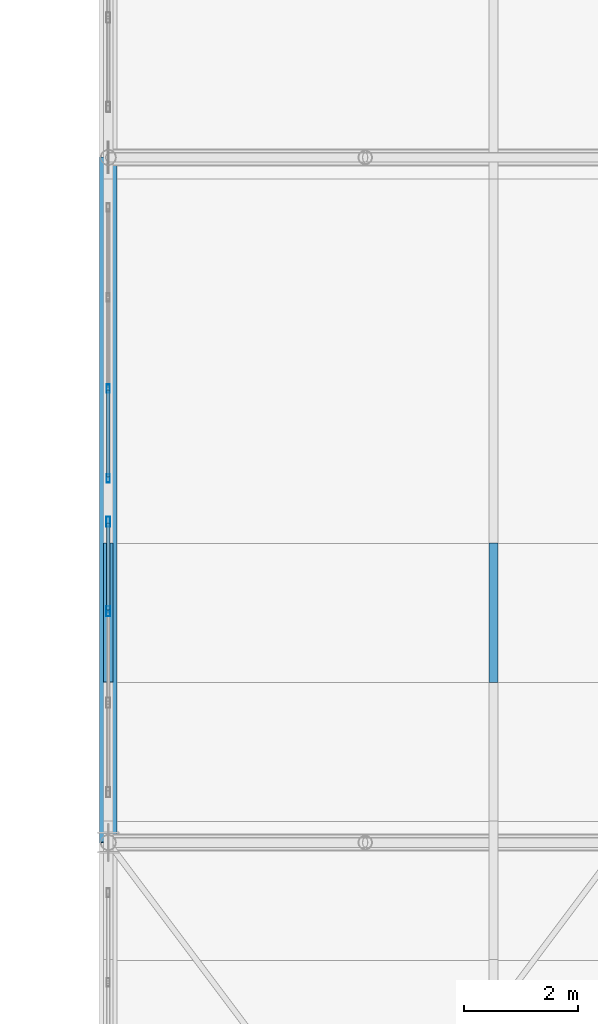
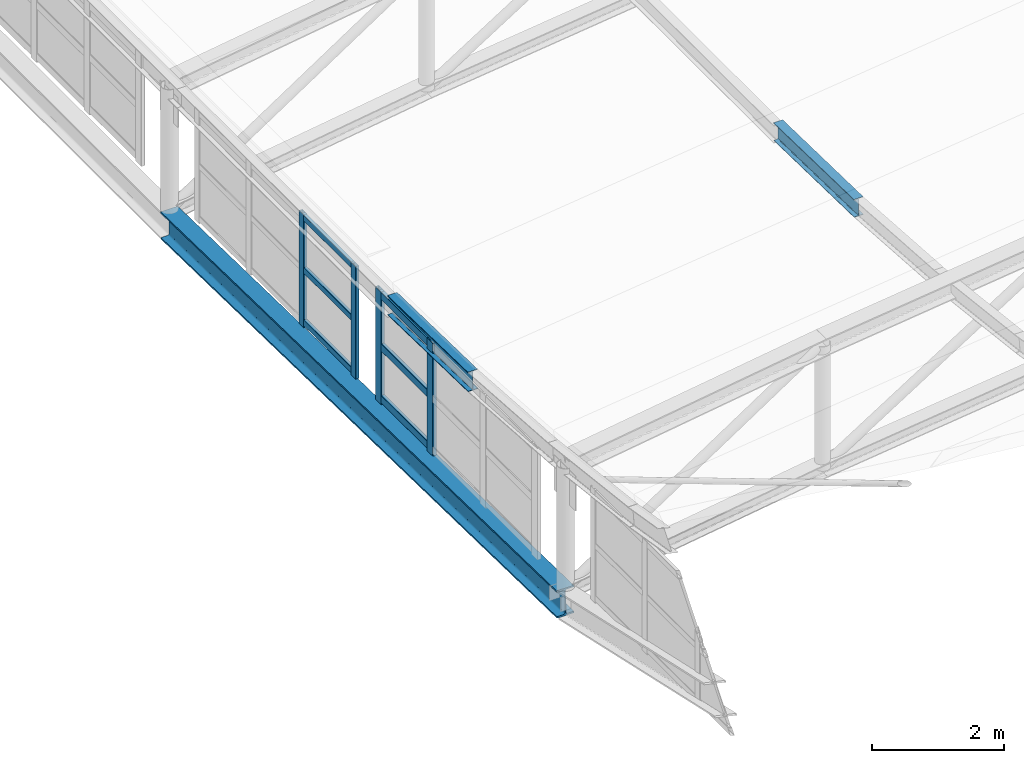
# One storey, part 82 of 262: 12 members, 1 beam, 2 elements without a shape of their own.
"""IFC4 building model written with IfcOpenShell, lengths in metres."""

import ifcopenshell
import ifcopenshell.guid

model = None  # the IFC model being written
_history = None  # IfcOwnerHistory: only IFC2X3 demands one
_inside = {}  # id of a spatial element -> (the spatial element, [elements in it])
_under = {}  # id of a project, library or spatial element -> (it, [spatial elements below it])
_declared = {}  # id of a project -> (the project, [libraries it declares])
_typed = {}  # id of a type object -> (the type object, [elements of that type])
_made_of = {}  # id of a material, layer set ... -> (it, [elements and type objects made of it])


def new_model(schema):
    """Start an empty IFC model of exactly this schema.

    Asked for "IFC4X3", IfcOpenShell would pick the latest addendum, in which some entities
    have other attributes; the version numbers below select the first issue.
    IFC2X3 requires an IfcOwnerHistory on every rooted entity: one is made here for all.
    """
    global model, _history
    if schema == "IFC4X3":
        model = ifcopenshell.file(schema_version=(4, 3, 0, 0))
    else:
        model = ifcopenshell.file(schema=schema)
    _inside.clear()
    _under.clear()
    _declared.clear()
    _typed.clear()
    _made_of.clear()
    _history = None
    if model.schema == "IFC2X3":
        org = make("IfcOrganization", Name="unknown")
        user = make(
            "IfcPersonAndOrganization",
            ThePerson=make("IfcPerson", FamilyName="unknown"),
            TheOrganization=org,
        )
        app = make(
            "IfcApplication",
            ApplicationDeveloper=org,
            Version="unknown",
            ApplicationFullName="unknown",
            ApplicationIdentifier="unknown",
        )
        _history = make(
            "IfcOwnerHistory",
            OwningUser=user,
            OwningApplication=app,
            ChangeAction="ADDED",
            CreationDate=0,
        )
    return model


def make(cls, **values):
    """One entity of the class cls with the attributes given. An attribute that is None is left unset."""
    return model.create_entity(
        cls, **{name: value for name, value in values.items() if value is not None}
    )


def rooted(cls, **values):
    """An entity with a GlobalId (a new one), such as an element, a storey or a relation."""
    return make(cls, GlobalId=ifcopenshell.guid.new(), OwnerHistory=_history, **values)


def si_unit(unit_type, name, prefix=None):
    """IfcSIUnit, for example si_unit("LENGTHUNIT", "METRE", prefix="MILLI")."""
    return make("IfcSIUnit", UnitType=unit_type, Prefix=prefix, Name=name)


def derived_unit(unit_type, elements):
    """IfcDerivedUnit: a product of units, each with its exponent."""
    return make(
        "IfcDerivedUnit",
        Elements=[
            make("IfcDerivedUnitElement", Unit=unit, Exponent=power)
            for unit, power in elements
        ],
        UnitType=unit_type,
    )


def assignment(units):
    """IfcUnitAssignment: the units of a project."""
    return None if units is None else make("IfcUnitAssignment", Units=units)


def point(xyz):
    """IfcCartesianPoint."""
    return None if xyz is None else make("IfcCartesianPoint", Coordinates=xyz)


def direction(xyz):
    """IfcDirection."""
    return None if xyz is None else make("IfcDirection", DirectionRatios=xyz)


def frame(location, z_axis=None, x_axis=None):
    """IfcAxis2Placement3D, a coordinate frame: its origin and axes. An axis left out is left unset."""
    return make(
        "IfcAxis2Placement3D",
        Location=point(location),
        Axis=direction(z_axis),
        RefDirection=direction(x_axis),
    )


def frame_2d(location, x_axis=None):
    """IfcAxis2Placement2D, a coordinate frame in the plane: its origin and x axis."""
    return make(
        "IfcAxis2Placement2D", Location=point(location), RefDirection=direction(x_axis)
    )


def origin():
    """The frame at (0, 0, 0) with its axes left unset."""
    return frame((0.0, 0.0, 0.0))


def origin_2d():
    """The frame at (0, 0) in the plane with its x axis left unset."""
    return frame_2d((0.0, 0.0))


def place(relative_to, where):
    """IfcLocalPlacement: puts the frame where relative to a parent placement (None: the world)."""
    return make(
        "IfcLocalPlacement", PlacementRelTo=relative_to, RelativePlacement=where
    )


def context(
    kind, dimensions, precision=None, world=None, true_north=None, identifier=None
):
    """IfcGeometricRepresentationContext, for example the 3D "Model" context."""
    return make(
        "IfcGeometricRepresentationContext",
        ContextIdentifier=identifier,
        ContextType=kind,
        CoordinateSpaceDimension=dimensions,
        Precision=precision,
        WorldCoordinateSystem=world,
        TrueNorth=true_north,
    )


def subcontext(parent, identifier, kind, view, scale=None):
    """IfcGeometricRepresentationSubContext, for example "Body" below "Model"."""
    return make(
        "IfcGeometricRepresentationSubContext",
        ContextIdentifier=identifier,
        ContextType=kind,
        ParentContext=parent,
        TargetScale=scale,
        TargetView=view,
    )


def project(units=None, contexts=None):
    """IfcProject with its units and contexts."""
    return rooted(
        "IfcProject",
        Name="project",
        RepresentationContexts=contexts,
        UnitsInContext=assignment(units),
    )


def spatial(cls, under=None, at=None, **own):
    """A site, building, storey or space (cls), placed at a placement, below another one or the project."""
    s = rooted(cls, ObjectPlacement=at, **own)
    if under is not None:
        _under.setdefault(under.id(), (under, []))[1].append(s)
    return s


def profile(cls, at=None, kind="AREA", **sizes):
    """A parametric profile (cls). Its sizes go by their IFC names, for example OverallWidth=200.0."""
    return make(cls, ProfileType=kind, Position=at, **sizes)


def hollow_rectangle(**sizes):
    """IfcRectangleHollowProfileDef."""
    return profile("IfcRectangleHollowProfileDef", **sizes)


def i_section(**sizes):
    """IfcIShapeProfileDef."""
    return profile("IfcIShapeProfileDef", **sizes)


def extrude(swept, where, along, depth):
    """IfcExtrudedAreaSolid: the profile swept, set in the frame where, extruded along a direction by depth."""
    return make(
        "IfcExtrudedAreaSolid",
        SweptArea=swept,
        Position=where,
        ExtrudedDirection=direction(along),
        Depth=depth,
    )


def shape(context_of_items, identifier, shape_type, items):
    """IfcShapeRepresentation: the items that make up one representation, for example the "Body"."""
    return make(
        "IfcShapeRepresentation",
        ContextOfItems=context_of_items,
        RepresentationIdentifier=identifier,
        RepresentationType=shape_type,
        Items=items,
    )


def material(Name=None, Category=None):
    """IfcMaterial."""
    return make("IfcMaterial", Name=Name, Category=Category)


def layer(
    of_material, thickness, ventilated=None, Name=None, Category=None, Priority=None
):
    """IfcMaterialLayer: one layer of a wall or slab, of a material (None: an air gap)."""
    return make(
        "IfcMaterialLayer",
        Material=of_material,
        LayerThickness=thickness,
        IsVentilated=ventilated,
        Name=Name,
        Category=Category,
        Priority=Priority,
    )


def layer_set(layers, Name=None):
    """IfcMaterialLayerSet."""
    return make("IfcMaterialLayerSet", MaterialLayers=layers, LayerSetName=Name)


def material_profile(
    of_material, cross_section, Name=None, Category=None, Priority=None
):
    """IfcMaterialProfile: a cross section and its material."""
    return make(
        "IfcMaterialProfile",
        Name=Name,
        Material=of_material,
        Profile=cross_section,
        Priority=Priority,
        Category=Category,
    )


def profile_set(profiles, Name=None, composite=None):
    """IfcMaterialProfileSet."""
    return make(
        "IfcMaterialProfileSet",
        Name=Name,
        MaterialProfiles=profiles,
        CompositeProfile=composite,
    )


def made_of(thing, what):
    """Note that an element or type object is made of a material, layer set ...; save() writes the relation."""
    if what is not None:
        _made_of.setdefault(what.id(), (what, []))[1].append(thing)
    return thing


def type_object(cls, material=None, **own):
    """A type object (cls), such as IfcWallType, which elements share."""
    return made_of(rooted(cls, **own), material)


def element(
    cls,
    number,
    at=None,
    inside=None,
    cuts=None,
    type_object=None,
    material=None,
    context=None,
    identifier="Body",
    shape_type=None,
    held_by="IfcProductDefinitionShape",
    body=None,
    shapes=None,
    **own,
):
    """One element of the class cls, such as IfcWall. Its Tag is "e" and its number.

    at: its placement. inside: the storey or other place that contains it. cuts: it is an
    opening in that element (IfcRelVoidsElement). A single representation is given by context,
    identifier, shape_type and body (its items); several are given by shapes. held_by: the class
    of the entity that holds the representations. save() writes the other relations.
    """
    e = rooted(cls, Tag="e%d" % number, ObjectPlacement=at, **own)
    if body is not None:
        shapes = [shape(context, identifier, shape_type, body)]
    if shapes is not None:
        e.Representation = make(held_by, Representations=shapes)
    if inside is not None:
        _inside.setdefault(inside.id(), (inside, []))[1].append(e)
    if cuts is not None:
        rooted(
            "IfcRelVoidsElement", RelatingBuildingElement=cuts, RelatedOpeningElement=e
        )
    if type_object is not None:
        _typed.setdefault(type_object.id(), (type_object, []))[1].append(e)
    return made_of(e, material)


def aggregate(whole, parts):
    """IfcRelAggregates: a whole, such as a stair, and the parts it consists of."""
    return rooted("IfcRelAggregates", RelatingObject=whole, RelatedObjects=parts)


def save(model, path):
    """Write the relations noted so far, then the file.

    IfcRelAggregates (storeys below a building ...), IfcRelContainedInSpatialStructure (elements
    in a storey), IfcRelDefinesByType, IfcRelAssociatesMaterial and IfcRelDeclares: one each for
    every whole, place, type object, material and project.
    """
    for whole, parts in _under.values():
        aggregate(whole, parts)
    for where, things in _inside.values():
        rooted(
            "IfcRelContainedInSpatialStructure",
            RelatedElements=things,
            RelatingStructure=where,
        )
    for kind, things in _typed.values():
        rooted("IfcRelDefinesByType", RelatedObjects=things, RelatingType=kind)
    for what, things in _made_of.values():
        rooted("IfcRelAssociatesMaterial", RelatedObjects=things, RelatingMaterial=what)
    for by, libraries in _declared.values():
        rooted("IfcRelDeclares", RelatingContext=by, RelatedDefinitions=libraries)
    model.write(path)


model = new_model("IFC4")

# Units and contexts
model_context = context("Model", 3, precision=1e-05, world=origin(), true_north=direction((0.0, 1.0)))
body_context = subcontext(model_context, "Body", "Model", "MODEL_VIEW")
ifc_project = project(units=[si_unit("LENGTHUNIT", "METRE"), si_unit("AREAUNIT", "SQUARE_METRE"), si_unit("VOLUMEUNIT", "CUBIC_METRE"), si_unit("PLANEANGLEUNIT", "RADIAN"), si_unit("MASSUNIT", "GRAM", prefix="KILO"), derived_unit("THERMALTRANSMITTANCEUNIT", [(si_unit("POWERUNIT", "WATT"), 1), (si_unit("LENGTHUNIT", "METRE"), -2), (si_unit("THERMODYNAMICTEMPERATUREUNIT", "KELVIN"), -1)])], contexts=[model_context])

# Site, building, storey
site_placement = place(None, origin())
site = spatial("IfcSite", under=ifc_project, at=site_placement, CompositionType="ELEMENT")
building_placement = place(site_placement, origin())
building = spatial("IfcBuilding", under=site, at=building_placement, Name="Almenara Railside Exhibition Hall", CompositionType="ELEMENT")
storey_placement = place(building_placement, frame((0.0, 0.0, 21.699951171875)))
storey = spatial("IfcBuildingStorey", under=building, at=storey_placement, Name="RF", CompositionType="ELEMENT", Elevation=21.699951171875)

# Curtain wall, members
ifc_material_1 = material(Name="Bronze-anodised aluminium and low-E double glazing", Category="aluminium")
ifc_layer = layer(ifc_material_1, 0.179931640625, Name="Bronze-anodised aluminium and low-E double glazing")
ifc_layer_set = layer_set([ifc_layer], Name="Bronze-anodised aluminium and low-E double glazing")
curtain_wall_type = type_object("IfcCurtainWallType", Name="West Hall Clerestory Curtain Wall 4200x2400", PredefinedType="NOTDEFINED", material=ifc_layer_set)
curtain_wall_1_placement = place(storey_placement, origin())
curtain_wall_1 = element("IfcCurtainWall", 1, at=curtain_wall_1_placement, inside=storey, type_object=curtain_wall_type, Name="Curtain wall CW-CL1-177", PredefinedType="NOTDEFINED")
ifc_material_2 = material(Name="Bronze-anodised aluminium", Category="aluminium")
ifc_material_profile_1 = material_profile(ifc_material_2, hollow_rectangle(XDim=0.06005859375, YDim=0.14990234375, WallThickness=0.00341796875, InnerFilletRadius=0.00341796875, OuterFilletRadius=0.007080078125, at=origin_2d()), Name="ALU-MUL 60x150x3.5")
ifc_profile_set_1 = profile_set([ifc_material_profile_1], Name="Bronze-anodised aluminium")
member_type_1 = type_object("IfcMemberType", Name="Curtain Wall Mullion 60x150x3.5", PredefinedType="MULLION", material=ifc_profile_set_1)
member_1_placement = place(storey_placement, frame((12.0, 78.3798828125, -2.0849609375), z_axis=(0.0, 0.0, 1.0), x_axis=(-1.0, 0.0, 0.0)))
member_1 = element("IfcMember", 2, at=member_1_placement, type_object=member_type_1, Name="CW-CL1-177 mullion 1", PredefinedType="MULLION", context=body_context, shape_type="SweptSolid", body=[
    extrude(hollow_rectangle(XDim=0.06005859375, YDim=0.14990234375, WallThickness=0.00341796875, InnerFilletRadius=0.00341796875, OuterFilletRadius=0.007080078125, at=origin_2d()), origin(), (0.0, 0.0, 1.0), 2.0849609375),
])
member_2_placement = place(storey_placement, frame((12.0, 79.949951171875, -2.0849609375), z_axis=(0.0, 0.0, 1.0), x_axis=(-1.0, 0.0, 0.0)))
member_2 = element("IfcMember", 3, at=member_2_placement, type_object=member_type_1, Name="CW-CL1-177 mullion 2", PredefinedType="MULLION", context=body_context, shape_type="SweptSolid", body=[
    extrude(hollow_rectangle(XDim=0.06005859375, YDim=0.14990234375, WallThickness=0.00341796875, InnerFilletRadius=0.00341796875, OuterFilletRadius=0.007080078125, at=origin_2d()), origin(), (0.0, 0.0, 1.0), 2.0849609375),
])

curtain_wall_2_placement = place(storey_placement, origin())
curtain_wall_2 = element("IfcCurtainWall", 4, at=curtain_wall_2_placement, inside=storey, type_object=curtain_wall_type, Name="Curtain wall CW-CL1-176", PredefinedType="NOTDEFINED")
ifc_material_profile_2 = material_profile(ifc_material_2, hollow_rectangle(XDim=0.06494140625, YDim=0.179931640625, WallThickness=0.00390625, InnerFilletRadius=0.00390625, OuterFilletRadius=0.008056640625, at=origin_2d()), Name="ALU-MUL 65x180x4")
ifc_profile_set_2 = profile_set([ifc_material_profile_2], Name="Bronze-anodised aluminium")
member_type_2 = type_object("IfcMemberType", Name="Curtain Wall Mullion 65x180x4", PredefinedType="MULLION", material=ifc_profile_set_2)
member_3_placement = place(storey_placement, frame((12.0, 76.050048828125, -2.0849609375), z_axis=(0.0, 0.0, 1.0), x_axis=(-1.0, 0.0, 0.0)))
member_3 = element("IfcMember", 5, at=member_3_placement, type_object=member_type_2, Name="CW-CL1-176 mullion 3", PredefinedType="MULLION", context=body_context, shape_type="SweptSolid", body=[
    extrude(hollow_rectangle(XDim=0.06494140625, YDim=0.179931640625, WallThickness=0.00390625, InnerFilletRadius=0.00390625, OuterFilletRadius=0.008056640625, at=origin_2d()), origin(), (0.0, 0.0, 1.0), 2.0849609375),
])
member_4_placement = place(storey_placement, frame((12.0, 77.617431640625, -2.0849609375), z_axis=(0.0, 0.0, 1.0), x_axis=(-1.0, 0.0, 0.0)))
member_4 = element("IfcMember", 6, at=member_4_placement, type_object=member_type_2, Name="CW-CL1-176 mullion 4", PredefinedType="MULLION", context=body_context, shape_type="SweptSolid", body=[
    extrude(hollow_rectangle(XDim=0.06494140625, YDim=0.179931640625, WallThickness=0.00390625, InnerFilletRadius=0.00390625, OuterFilletRadius=0.008056640625, at=origin_2d()), origin(), (0.0, 0.0, 1.0), 2.0849609375),
])

# Member
ifc_material_profile_3 = material_profile(ifc_material_2, hollow_rectangle(XDim=0.06005859375, YDim=0.110107421875, WallThickness=0.0029296875, InnerFilletRadius=0.0029296875, OuterFilletRadius=0.006103515625, at=origin_2d()), Name="ALU-TRN 60x110x3")
ifc_profile_set_3 = profile_set([ifc_material_profile_3], Name="Bronze-anodised aluminium")
member_type_3 = type_object("IfcMemberType", Name="Curtain Wall Transom 60x110x3", PredefinedType="USERDEFINED", material=ifc_profile_set_3)
member_5_placement = place(storey_placement, frame((12.0, 78.402099609375, -1.994873046875), z_axis=(0.0, 1.0, 0.0), x_axis=(-1.0, 0.0, 0.0)))
member_5 = element("IfcMember", 7, at=member_5_placement, type_object=member_type_3, Name="CW-CL1-177 transom 1.1", ObjectType="TRANSOM", PredefinedType="USERDEFINED", context=body_context, shape_type="SweptSolid", body=[
    extrude(hollow_rectangle(XDim=0.06005859375, YDim=0.110107421875, WallThickness=0.0029296875, InnerFilletRadius=0.0029296875, OuterFilletRadius=0.006103515625, at=origin_2d()), origin(), (0.0, 0.0, 1.0), 1.52587890625),
])

member_6_placement = place(storey_placement, frame((12.0, 78.402099609375, -1.02490234375), z_axis=(0.0, 1.0, 0.0), x_axis=(-1.0, 0.0, 0.0)))
member_6 = element("IfcMember", 8, at=member_6_placement, type_object=member_type_3, Name="CW-CL1-177 transom 1.2", ObjectType="TRANSOM", PredefinedType="USERDEFINED", context=body_context, shape_type="SweptSolid", body=[
    extrude(hollow_rectangle(XDim=0.06005859375, YDim=0.110107421875, WallThickness=0.0029296875, InnerFilletRadius=0.0029296875, OuterFilletRadius=0.006103515625, at=origin_2d()), origin(), (0.0, 0.0, 1.0), 1.52587890625),
])

member_7_placement = place(storey_placement, frame((12.0, 78.402099609375, -0.054931640625), z_axis=(0.0, 1.0, 0.0), x_axis=(-1.0, 0.0, 0.0)))
member_7 = element("IfcMember", 9, at=member_7_placement, type_object=member_type_3, Name="CW-CL1-177 transom 1.3", ObjectType="TRANSOM", PredefinedType="USERDEFINED", context=body_context, shape_type="SweptSolid", body=[
    extrude(hollow_rectangle(XDim=0.06005859375, YDim=0.110107421875, WallThickness=0.0029296875, InnerFilletRadius=0.0029296875, OuterFilletRadius=0.006103515625, at=origin_2d()), origin(), (0.0, 0.0, 1.0), 1.52587890625),
])

aggregate(curtain_wall_1, [member_1, member_2, member_5, member_6, member_7])

ifc_material_profile_4 = material_profile(ifc_material_2, hollow_rectangle(XDim=0.06494140625, YDim=0.139892578125, WallThickness=0.00341796875, InnerFilletRadius=0.00341796875, OuterFilletRadius=0.007080078125, at=origin_2d()), Name="ALU-TRN 65x140x3.5")
ifc_profile_set_4 = profile_set([ifc_material_profile_4], Name="Bronze-anodised aluminium")
member_type_4 = type_object("IfcMemberType", Name="Curtain Wall Transom 65x140x3.5", PredefinedType="USERDEFINED", material=ifc_profile_set_4)
member_8_placement = place(storey_placement, frame((12.0, 76.074462890625, -1.97998046875), z_axis=(0.0, 1.0, 0.0), x_axis=(-1.0, 0.0, 0.0)))
member_8 = element("IfcMember", 10, at=member_8_placement, type_object=member_type_4, Name="CW-CL1-176 transom 3.1", ObjectType="TRANSOM", PredefinedType="USERDEFINED", context=body_context, shape_type="SweptSolid", body=[
    extrude(hollow_rectangle(XDim=0.06494140625, YDim=0.139892578125, WallThickness=0.00341796875, InnerFilletRadius=0.00341796875, OuterFilletRadius=0.007080078125, at=origin_2d()), origin(), (0.0, 0.0, 1.0), 1.5185546875),
])

member_9_placement = place(storey_placement, frame((12.0, 76.074462890625, -1.02490234375), z_axis=(0.0, 1.0, 0.0), x_axis=(-1.0, 0.0, 0.0)))
member_9 = element("IfcMember", 11, at=member_9_placement, type_object=member_type_4, Name="CW-CL1-176 transom 3.2", ObjectType="TRANSOM", PredefinedType="USERDEFINED", context=body_context, shape_type="SweptSolid", body=[
    extrude(hollow_rectangle(XDim=0.06494140625, YDim=0.139892578125, WallThickness=0.00341796875, InnerFilletRadius=0.00341796875, OuterFilletRadius=0.007080078125, at=origin_2d()), origin(), (0.0, 0.0, 1.0), 1.5185546875),
])

member_10_placement = place(storey_placement, frame((12.0, 76.074462890625, -0.070068359375), z_axis=(0.0, 1.0, 0.0), x_axis=(-1.0, 0.0, 0.0)))
member_10 = element("IfcMember", 12, at=member_10_placement, type_object=member_type_4, Name="CW-CL1-176 transom 3.3", ObjectType="TRANSOM", PredefinedType="USERDEFINED", context=body_context, shape_type="SweptSolid", body=[
    extrude(hollow_rectangle(XDim=0.06494140625, YDim=0.139892578125, WallThickness=0.00341796875, InnerFilletRadius=0.00341796875, OuterFilletRadius=0.007080078125, at=origin_2d()), origin(), (0.0, 0.0, 1.0), 1.5185546875),
])

aggregate(curtain_wall_2, [member_3, member_4, member_8, member_9, member_10])

# Members
ifc_material_3 = material(Name="Structural steel S355JR", Category="steel")
ifc_material_profile_5 = material_profile(ifc_material_3, i_section(OverallWidth=0.159912109375, OverallDepth=0.330078125, WebThickness=0.007568359375, FlangeThickness=0.011474609375, FilletRadius=0.01806640625, at=origin_2d()), Name="IPE 330")
ifc_profile_set_5 = profile_set([ifc_material_profile_5], Name="Structural steel S355JR")
member_type_5 = type_object("IfcMemberType", Name="Gable Bay Purlin IPE 330 S355JR", PredefinedType="PURLIN", material=ifc_profile_set_5)
member_11_placement = place(storey_placement, frame((18.75, 74.8037109375, 0.850830078125), z_axis=(0.0, 0.999725289903, -0.023438104182), x_axis=(-1.0, 0.0, 0.0)))
element("IfcMember", 13, at=member_11_placement, inside=storey, type_object=member_type_5, Name="MEM-PR-V1-PR-IPE330-01-11", PredefinedType="PURLIN", context=body_context, shape_type="SweptSolid", body=[
    extrude(i_section(OverallWidth=0.159912109375, OverallDepth=0.330078125, WebThickness=0.007568359375, FlangeThickness=0.011474609375, FilletRadius=0.01806640625, at=origin_2d()), origin(), (0.0, 0.0, 1.0), 2.4375),
])
ifc_material_profile_6 = material_profile(ifc_material_3, i_section(OverallWidth=0.169921875, OverallDepth=0.360107421875, WebThickness=0.008056640625, FlangeThickness=0.0126953125, FilletRadius=0.01806640625, at=origin_2d()), Name="IPE 360")
ifc_profile_set_6 = profile_set([ifc_material_profile_6], Name="Structural steel S355JR")
member_type_6 = type_object("IfcMemberType", Name="Long-Span Scroll Purlin IPE 360 S355JR", PredefinedType="PURLIN", material=ifc_profile_set_6)
member_12_placement = place(storey_placement, frame((12.0, 74.8037109375, 0.0068359375), z_axis=(0.0, 0.999725289903, -0.023438104182), x_axis=(-1.0, 0.0, 0.0)))
element("IfcMember", 14, at=member_12_placement, inside=storey, type_object=member_type_6, Name="MEM-PR-V1-PR-IPE360-00-11", PredefinedType="PURLIN", context=body_context, shape_type="SweptSolid", body=[
    extrude(i_section(OverallWidth=0.169921875, OverallDepth=0.360107421875, WebThickness=0.008056640625, FlangeThickness=0.0126953125, FilletRadius=0.01806640625, at=origin_2d()), origin(), (0.0, 0.0, 1.0), 2.4375),
])

# Beam
ifc_material_profile_7 = material_profile(ifc_material_3, i_section(OverallWidth=0.300048828125, OverallDepth=0.5, WebThickness=0.014404296875, FlangeThickness=0.028076171875, FilletRadius=0.027099609375, at=origin_2d()), Name="HEB 500")
ifc_profile_set_7 = profile_set([ifc_material_profile_7], Name="Structural steel S355JR")
beam_type = type_object("IfcBeamType", Name="Steel Heavy Eaves Girder HEB 500 S355JR", PredefinedType="USERDEFINED", material=ifc_profile_set_7)
beam_placement = place(storey_placement, frame((12.0, 72.0, -2.38525390625), z_axis=(0.0, 0.999756898414, -0.022048675087), x_axis=(-1.0, 0.0, 0.0)))
element("IfcBeam", 15, at=beam_placement, inside=storey, type_object=beam_type, Name="Beam 0965", ObjectType="GIRDER", PredefinedType="USERDEFINED", context=body_context, shape_type="SweptSolid", body=[
    extrude(i_section(OverallWidth=0.300048828125, OverallDepth=0.5, WebThickness=0.014404296875, FlangeThickness=0.028076171875, FilletRadius=0.027099609375, at=origin_2d()), origin(), (0.0, 0.0, 1.0), 12.0029296875),
])

save(model, "model.ifc")
